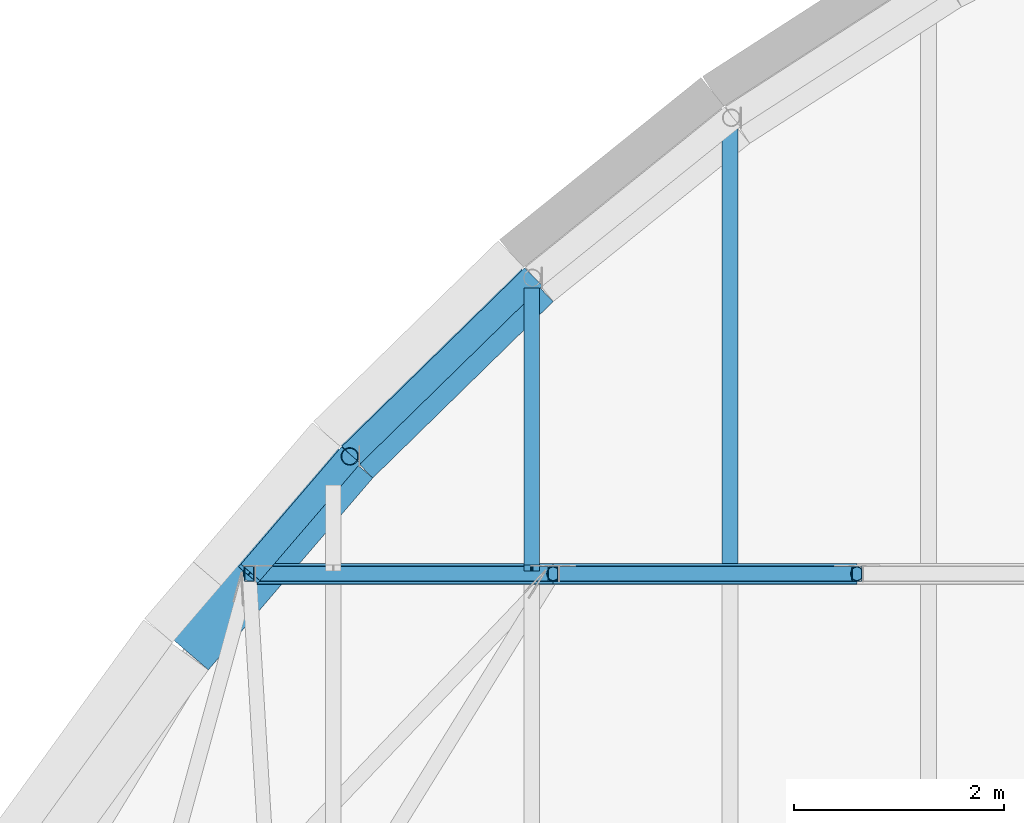
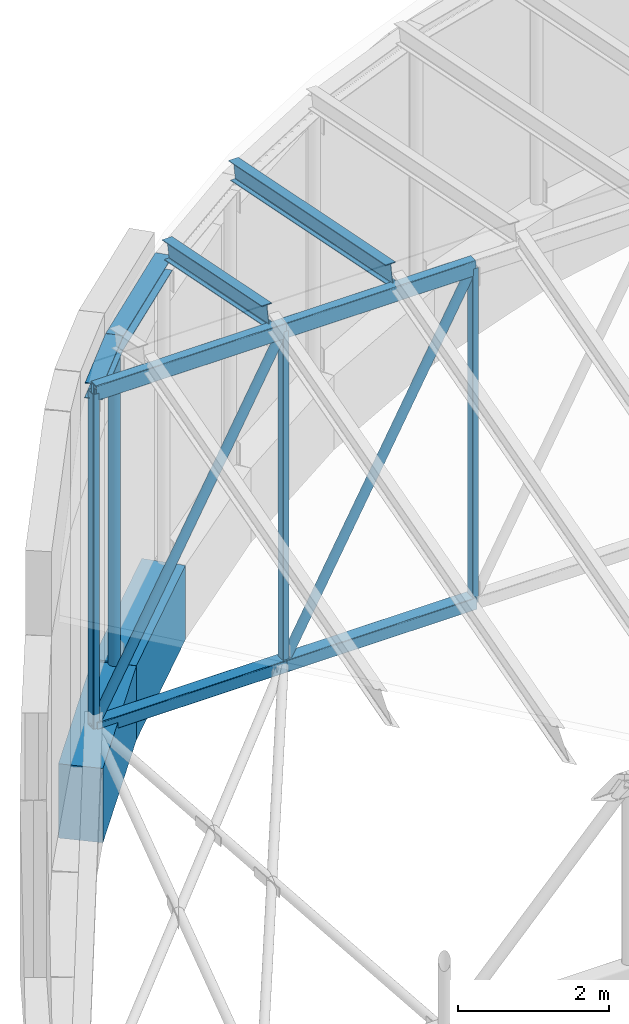
# One storey, part 29 of 68: 8 beams, 8 members.
"""IFC4 building model written with IfcOpenShell, lengths in metres."""

from ifc_helpers import new_model, si_unit, direction, frame, origin, origin_2d, place, context, subcontext, project, spatial, rectangle, hollow_rectangle, hollow_circle, i_section, extrude, material, material_profile, profile_set, type_object, element, save


model = new_model("IFC4")

# Units and contexts
model_context = context("Model", 3, precision=1e-05, world=origin(), true_north=direction((0.0, 1.0)))
body_context = subcontext(model_context, "Body", "Model", "MODEL_VIEW")
ifc_project = project(units=[si_unit("LENGTHUNIT", "METRE"), si_unit("AREAUNIT", "SQUARE_METRE"), si_unit("VOLUMEUNIT", "CUBIC_METRE"), si_unit("PLANEANGLEUNIT", "RADIAN"), si_unit("MASSUNIT", "GRAM", prefix="KILO")], contexts=[model_context])

# Site, building, storey
site_placement = place(None, origin())
site = spatial("IfcSite", under=ifc_project, at=site_placement, CompositionType="ELEMENT")
building_placement = place(site_placement, origin())
building = spatial("IfcBuilding", under=site, at=building_placement, Name="Larchfold Concert Hall", CompositionType="ELEMENT")
storey_placement = place(building_placement, frame((0.0, 0.0, 28.800048828125)))
storey = spatial("IfcBuildingStorey", under=building, at=storey_placement, Name="L06", CompositionType="ELEMENT", Elevation=28.800048828125)

# Beams
ifc_material_1 = material(Name="Concrete C40/50", Category="concrete")
ifc_material_profile_1 = material_profile(ifc_material_1, rectangle(XDim=0.60009765625, YDim=1.199951171875, at=origin_2d()))
ifc_profile_set_1 = profile_set([ifc_material_profile_1], Name="Concrete C40/50")
beam_type_1 = type_object("IfcBeamType", Name="Beam RC 600x1200", PredefinedType="BEAM", material=ifc_profile_set_1)
beam_1_placement = place(storey_placement, frame((29.3623046875, 113.208984375, -0.60009765625), z_axis=(-0.714978484615, -0.699146455715, 0.0), x_axis=(0.699146455715, -0.714978484615, 0.0)))
element("IfcBeam", 1, at=beam_1_placement, inside=storey, type_object=beam_type_1, Name="Beam RB26", PredefinedType="BEAM", context=body_context, shape_type="SweptSolid", body=[
    extrude(rectangle(XDim=0.60009765625, YDim=1.199951171875, at=origin_2d()), origin(), (0.0, 0.0, 1.0), 2.405517578125),
])
beam_2_placement = place(storey_placement, frame((27.624267578125, 111.5078125, -0.60009765625), z_axis=(-0.650507440678, -0.759499881253, 0.0), x_axis=(0.759499881253, -0.650507440678, 0.0)))
element("IfcBeam", 2, at=beam_2_placement, inside=storey, type_object=beam_type_1, Name="Beam RB27", PredefinedType="BEAM", context=body_context, shape_type="SweptSolid", body=[
    extrude(rectangle(XDim=0.60009765625, YDim=1.199951171875, at=origin_2d()), origin(), (0.0, 0.0, 1.0), 2.407958984375),
])

# Members
ifc_material_2 = material(Name="Steel S355", Category="steel")
ifc_material_profile_2 = material_profile(ifc_material_2, i_section(OverallWidth=0.14990234375, OverallDepth=0.300048828125, WebThickness=0.007080078125, FlangeThickness=0.0107421875, FilletRadius=0.014892578125, at=origin_2d()))
ifc_profile_set_2 = profile_set([ifc_material_profile_2], Name="Steel S355")
member_type_1 = type_object("IfcMemberType", Name="Rafter IPE 300", PredefinedType="RAFTER", material=ifc_profile_set_2)
member_1_placement = place(storey_placement, frame((29.365966796875, 110.454833984375, 5.657958984375), z_axis=(0.0, 0.980577184744, -0.196133589063), x_axis=(-1.0, 0.0, 0.0)))
element("IfcMember", 3, at=member_1_placement, inside=storey, type_object=member_type_1, Name="Member RF0130", PredefinedType="RAFTER", context=body_context, shape_type="SweptSolid", body=[
    extrude(i_section(OverallWidth=0.14990234375, OverallDepth=0.300048828125, WebThickness=0.007080078125, FlangeThickness=0.0107421875, FilletRadius=0.014892578125, at=origin_2d()), origin(), (0.0, 0.0, 1.0), 2.68994140625),
])
member_2_placement = place(storey_placement, frame((31.256591796875, 110.454833984375, 5.657958984375), z_axis=(0.0, 0.980582888804, -0.196105069247), x_axis=(-1.0, 0.0, 0.0)))
element("IfcMember", 4, at=member_2_placement, inside=storey, type_object=member_type_1, Name="Member RF0131", PredefinedType="RAFTER", context=body_context, shape_type="SweptSolid", body=[
    extrude(i_section(OverallWidth=0.14990234375, OverallDepth=0.300048828125, WebThickness=0.007080078125, FlangeThickness=0.0107421875, FilletRadius=0.014892578125, at=origin_2d()), origin(), (0.0, 0.0, 1.0), 4.24267578125),
])

# Beams
ifc_material_3 = material(Name="Steel S355", Category="steel")
ifc_material_profile_3 = material_profile(ifc_material_3, i_section(OverallWidth=0.239990234375, OverallDepth=0.22998046875, WebThickness=0.007568359375, FlangeThickness=0.011962890625, FilletRadius=0.02099609375, at=origin_2d()))
ifc_profile_set_3 = profile_set([ifc_material_profile_3], Name="Steel S355")
beam_type_2 = type_object("IfcBeamType", Name="Steel beam HEA 240", PredefinedType="BEAM", material=ifc_profile_set_3)
beam_3_placement = place(storey_placement, frame((29.37255859375, 113.218994140625, 4.8349609375), z_axis=(-0.708105931144, -0.692405575107, 0.138421493416), x_axis=(0.69913586986, -0.71498883591, 0.0)))
element("IfcBeam", 5, at=beam_3_placement, inside=storey, type_object=beam_type_2, Name="Beam EM35", PredefinedType="BEAM", context=body_context, shape_type="SweptSolid", body=[
    extrude(i_section(OverallWidth=0.239990234375, OverallDepth=0.22998046875, WebThickness=0.007568359375, FlangeThickness=0.011962890625, FilletRadius=0.02099609375, at=origin_2d()), origin(), (0.0, 0.0, 1.0), 2.456787109375),
])
beam_4_placement = place(storey_placement, frame((27.6328125, 111.517822265625, 5.175048828125), z_axis=(-0.643137678226, -0.750873898164, 0.150207576047), x_axis=(0.759490713992, -0.65051814376, 0.0)))
element("IfcBeam", 6, at=beam_4_placement, inside=storey, type_object=beam_type_2, Name="Beam EM36", PredefinedType="BEAM", context=body_context, shape_type="SweptSolid", body=[
    extrude(i_section(OverallWidth=0.239990234375, OverallDepth=0.22998046875, WebThickness=0.007568359375, FlangeThickness=0.011962890625, FilletRadius=0.02099609375, at=origin_2d()), origin(), (0.0, 0.0, 1.0), 1.48876953125),
])
ifc_material_4 = material(Name="Steel S355J2H", Category="steel")
ifc_material_profile_4 = material_profile(ifc_material_4, hollow_rectangle(XDim=0.14990234375, YDim=0.25, WallThickness=0.010009765625, InnerFilletRadius=0.010009765625, OuterFilletRadius=0.02001953125, at=origin_2d()))
ifc_profile_set_4 = profile_set([ifc_material_profile_4], Name="Steel S355J2H")
beam_type_3 = type_object("IfcBeamType", Name="Truss chord RHS 250x150x10", PredefinedType="BEAM", material=ifc_profile_set_4)
beam_5_placement = place(storey_placement, frame((26.67529296875, 110.39990234375, 5.39990234375), z_axis=(1.0, 0.0, 0.0), x_axis=(0.0, 1.0, 0.0)))
element("IfcBeam", 7, at=beam_5_placement, inside=storey, type_object=beam_type_3, Name="Beam FT7T01", PredefinedType="BEAM", context=body_context, shape_type="SweptSolid", body=[
    extrude(hollow_rectangle(XDim=0.14990234375, YDim=0.25, WallThickness=0.010009765625, InnerFilletRadius=0.010009765625, OuterFilletRadius=0.02001953125, at=origin_2d()), origin(), (0.0, 0.0, 1.0), 2.8955078125),
])
beam_6_placement = place(storey_placement, frame((29.57080078125, 110.39990234375, 5.39990234375), z_axis=(1.0, 0.0, 0.0), x_axis=(0.0, 1.0, 0.0)))
element("IfcBeam", 8, at=beam_6_placement, inside=storey, type_object=beam_type_3, Name="Beam FT7T02", PredefinedType="BEAM", context=body_context, shape_type="SweptSolid", body=[
    extrude(hollow_rectangle(XDim=0.14990234375, YDim=0.25, WallThickness=0.010009765625, InnerFilletRadius=0.010009765625, OuterFilletRadius=0.02001953125, at=origin_2d()), origin(), (0.0, 0.0, 1.0), 2.895263671875),
])

# Members
ifc_material_5 = material(Name="Steel S355J2H", Category="steel")
ifc_material_profile_5 = material_profile(ifc_material_5, hollow_circle(Radius=0.084228515625, WallThickness=0.008056640625, at=origin_2d()))
ifc_profile_set_5 = profile_set([ifc_material_profile_5], Name="Steel S355J2H")
member_type_2 = type_object("IfcMemberType", Name="Truss post CHS 168.3x8", PredefinedType="POST", material=ifc_profile_set_5)
member_3_placement = place(storey_placement, frame((27.6328125, 111.517822265625, 0.0), z_axis=(0.0, 0.0, 1.0), x_axis=(1.0, 0.0, 0.0)))
element("IfcMember", 9, at=member_3_placement, inside=storey, type_object=member_type_2, Name="Member EP15", PredefinedType="POST", context=body_context, shape_type="SweptSolid", body=[
    extrude(hollow_circle(Radius=0.084228515625, WallThickness=0.008056640625, at=origin_2d()), origin(), (0.0, 0.0, 1.0), 5.057861328125),
])
ifc_material_6 = material(Name="Steel S355J2H", Category="steel")
ifc_material_profile_6 = material_profile(ifc_material_6, hollow_rectangle(XDim=0.10009765625, YDim=0.14990234375, WallThickness=0.008056640625, InnerFilletRadius=0.008056640625, OuterFilletRadius=0.01611328125, at=origin_2d()))
ifc_profile_set_6 = profile_set([ifc_material_profile_6], Name="Steel S355J2H")
member_type_3 = type_object("IfcMemberType", Name="Truss post RHS 150x100x8", PredefinedType="POST", material=ifc_profile_set_6)
for number, where, z_axis, x_axis, name in (
    (10, (26.67529296875, 110.39990234375, 5.39990234375), (0.0, 0.0, -1.0), (1.0, 0.0, 0.0), "Member FT7V01"),
    (11, (29.57080078125, 110.39990234375, 5.39990234375), (0.0, 0.0, -1.0), (1.0, 0.0, 0.0), "Member FT7V02"),
    (12, (32.466064453125, 110.39990234375, 5.39990234375), (0.0, 0.0, -1.0), (1.0, 0.0, 0.0), "Member FT7V03"),
):
    element("IfcMember", number, at=place(storey_placement, frame(where, z_axis=z_axis, x_axis=x_axis)), inside=storey, type_object=member_type_3, Name=name, PredefinedType="POST", context=body_context, shape_type="SweptSolid", body=[
        extrude(hollow_rectangle(XDim=0.10009765625, YDim=0.14990234375, WallThickness=0.008056640625, InnerFilletRadius=0.008056640625, OuterFilletRadius=0.01611328125, at=origin_2d()), origin(), (0.0, 0.0, 1.0), 5.39990234375),
    ])

# Beams
ifc_material_7 = material(Name="Steel S355J2H", Category="steel")
ifc_material_profile_7 = material_profile(ifc_material_7, hollow_rectangle(XDim=0.199951171875, YDim=0.199951171875, WallThickness=0.010009765625, InnerFilletRadius=0.010009765625, OuterFilletRadius=0.02001953125, at=origin_2d()))
ifc_profile_set_7 = profile_set([ifc_material_profile_7], Name="Steel S355J2H")
beam_type_4 = type_object("IfcBeamType", Name="Truss tie SHS 200x200x10", PredefinedType="BEAM", material=ifc_profile_set_7)
beam_7_placement = place(storey_placement, frame((26.67529296875, 110.39990234375, 0.0), z_axis=(1.0, 0.0, 0.0), x_axis=(0.0, 1.0, 0.0)))
element("IfcBeam", 13, at=beam_7_placement, inside=storey, type_object=beam_type_4, Name="Beam FT7B01", PredefinedType="BEAM", context=body_context, shape_type="SweptSolid", body=[
    extrude(hollow_rectangle(XDim=0.199951171875, YDim=0.199951171875, WallThickness=0.010009765625, InnerFilletRadius=0.010009765625, OuterFilletRadius=0.02001953125, at=origin_2d()), origin(), (0.0, 0.0, 1.0), 2.8955078125),
])
beam_8_placement = place(storey_placement, frame((29.57080078125, 110.39990234375, 0.0), z_axis=(1.0, 0.0, 0.0), x_axis=(0.0, 1.0, 0.0)))
element("IfcBeam", 14, at=beam_8_placement, inside=storey, type_object=beam_type_4, Name="Beam FT7B02", PredefinedType="BEAM", context=body_context, shape_type="SweptSolid", body=[
    extrude(hollow_rectangle(XDim=0.199951171875, YDim=0.199951171875, WallThickness=0.010009765625, InnerFilletRadius=0.010009765625, OuterFilletRadius=0.02001953125, at=origin_2d()), origin(), (0.0, 0.0, 1.0), 2.895263671875),
])

# Members
ifc_material_8 = material(Name="Steel S355J2H", Category="steel")
ifc_material_profile_8 = material_profile(ifc_material_8, hollow_circle(Radius=0.06982421875, WallThickness=0.00634765625, at=origin_2d()))
ifc_profile_set_8 = profile_set([ifc_material_profile_8], Name="Steel S355J2H")
member_type_4 = type_object("IfcMemberType", Name="Truss web CHS 139.7x6.3", PredefinedType="BRACE", material=ifc_profile_set_8)
for number, where, z_axis, x_axis, name in (
    (15, (26.67529296875, 110.39990234375, 0.0), (0.472564148262, 0.0, 0.881296275822), (0.0, 1.0, 0.0), "Member FT7D01"),
    (16, (29.57080078125, 110.39990234375, 0.0), (0.472533200288, 0.0, 0.881312869885), (0.0, 1.0, 0.0), "Member FT7D02"),
):
    element("IfcMember", number, at=place(storey_placement, frame(where, z_axis=z_axis, x_axis=x_axis)), inside=storey, type_object=member_type_4, Name=name, PredefinedType="BRACE", context=body_context, shape_type="SweptSolid", body=[
        extrude(hollow_circle(Radius=0.06982421875, WallThickness=0.00634765625, at=origin_2d()), origin(), (0.0, 0.0, 1.0), 6.127197265625),
    ])

save(model, "model.ifc")
